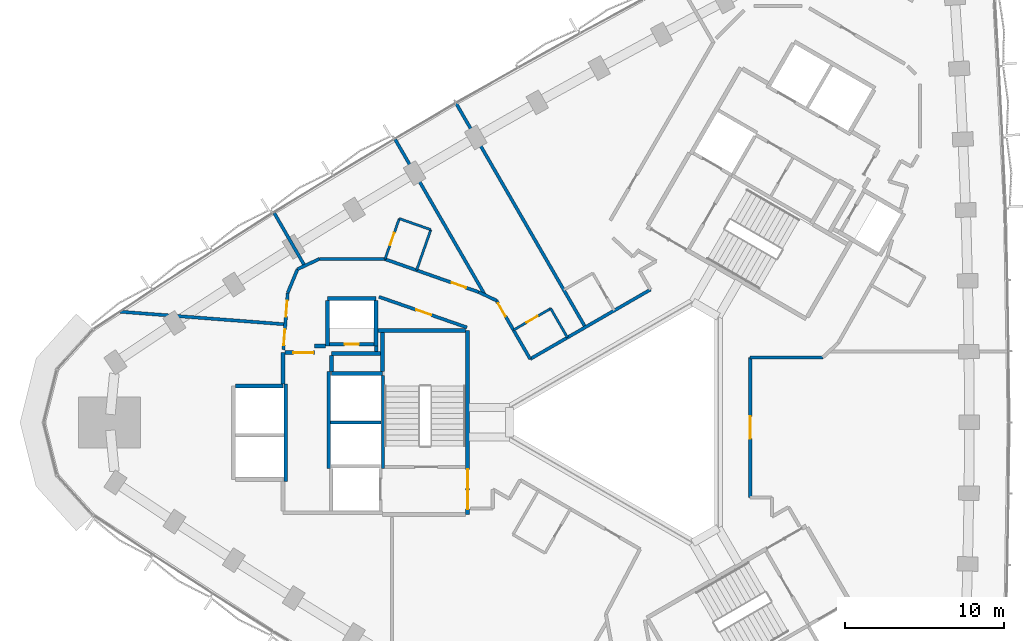
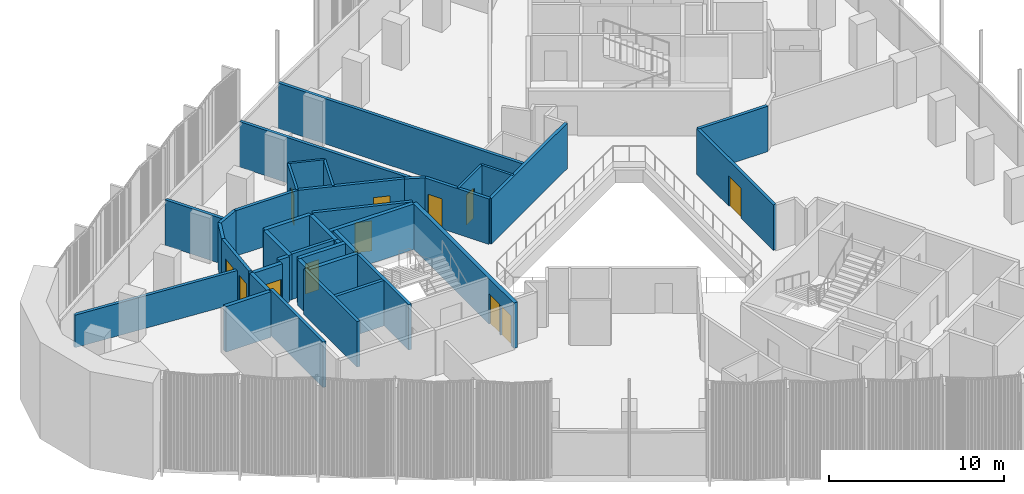
# One storey, part 9 of 15: 39 walls, 12 doors, 12 openings.
"""IFC4 building model written with IfcOpenShell, lengths in metres."""

from ifc_helpers import new_model, si_unit, direction, frame, frame_2d, origin, place, context, subcontext, project, spatial, rectangle, extrude, material, layer, layer_set, type_object, element, fill, save


model = new_model("IFC4")

# Units and contexts
model_context = context("Model", 3, precision=1e-05, world=origin(), true_north=direction((0.0, 1.0)))
body_context = subcontext(model_context, "Body", "Model", "MODEL_VIEW")
ifc_project = project(units=[si_unit("LENGTHUNIT", "METRE"), si_unit("AREAUNIT", "SQUARE_METRE"), si_unit("VOLUMEUNIT", "CUBIC_METRE"), si_unit("PLANEANGLEUNIT", "RADIAN"), si_unit("MASSUNIT", "GRAM", prefix="KILO")], contexts=[model_context])

# Site, building, storey
site_placement = place(None, origin())
site = spatial("IfcSite", under=ifc_project, at=site_placement, CompositionType="ELEMENT")
building_placement = place(site_placement, origin())
building = spatial("IfcBuilding", under=site, at=building_placement, Name="Tamra Quay Hotel Tower", CompositionType="ELEMENT")
storey_placement = place(building_placement, frame((0.0, 0.0, 101.0)))
storey = spatial("IfcBuildingStorey", under=building, at=storey_placement, Name="L24", CompositionType="ELEMENT", Elevation=101.0)

# Walls
ifc_material_1 = material(Name="Concrete M70", Category="concrete")
ifc_layer_1 = layer(ifc_material_1, 0.199951171875)
ifc_layer_set_1 = layer_set([ifc_layer_1], Name="Concrete M70 core wall 200")
wall_type_1 = type_object("IfcWallType", Name="Concrete M70 core wall 200", PredefinedType="SHEAR", material=ifc_layer_set_1)
wall_1_placement = place(storey_placement, frame((-16.162109375, 2.95068359375, 0.0), z_axis=(0.0, 0.0, 1.0), x_axis=(0.0, -1.0, 0.0)))
element("IfcWall", 1, at=wall_1_placement, inside=storey, type_object=wall_type_1, Name="CW2", PredefinedType="SHEAR", context=body_context, shape_type="SweptSolid", body=[
    extrude(rectangle(XDim=5.850830078125, YDim=0.199951171875, at=frame_2d((2.92529296875, 0.0))), origin(), (0.0, 0.0, 1.0), 3.175048828125),
])
for number, where, z_axis, x_axis, name in (
    (2, (-19.5625, -2.900146484375, 0.0), (0.0, 0.0, 1.0), (0.0, 1.0, 0.0), "CW2"),
    (3, (-22.26220703125, 2.400146484375, 0.0), (0.0, 0.0, 1.0), (0.0, -1.0, 0.0), "CW2"),
):
    element("IfcWall", number, at=place(storey_placement, frame(where, z_axis=z_axis, x_axis=x_axis)), inside=storey, type_object=wall_type_1, Name=name, PredefinedType="SHEAR", context=body_context, shape_type="SweptSolid", body=[
        extrude(rectangle(XDim=6.100341796875, YDim=0.199951171875, at=frame_2d((3.05029296875, 0.0))), origin(), (0.0, 0.0, 1.0), 3.175048828125),
    ])
wall_2_placement = place(storey_placement, frame((-16.26318359375, 0.0, 0.0), z_axis=(0.0, 0.0, 1.0), x_axis=(-1.0, 0.0, 0.0)))
element("IfcWall", 4, at=wall_2_placement, inside=storey, type_object=wall_type_1, Name="CW2", PredefinedType="SHEAR", context=body_context, shape_type="SweptSolid", body=[
    extrude(rectangle(XDim=3.1982421875, YDim=0.199951171875, at=frame_2d((1.59912109375, 0.0))), origin(), (0.0, 0.0, 1.0), 3.175048828125),
])

# Wall, opening, door
wall_3_placement = place(storey_placement, frame((-19.51123046875, 4.91015625, 0.0), z_axis=(0.0, 0.0, 1.0), x_axis=(1.0, 0.0, 0.0)))
wall_3 = element("IfcWall", 5, at=wall_3_placement, inside=storey, type_object=wall_type_1, Name="CW2", PredefinedType="SHEAR", context=body_context, shape_type="SweptSolid", body=[
    extrude(rectangle(XDim=2.7978515625, YDim=0.199951171875, at=frame_2d((1.39892578125, 0.0))), origin(), (0.0, 0.0, 1.0), 3.175048828125),
])
opening_1_placement = place(wall_3_placement, frame((0.948974609375, 0.0, 0.0)))
opening_1 = element("IfcOpeningElement", 6, at=opening_1_placement, cuts=wall_3, Name="Opening D1", PredefinedType="OPENING", context=body_context, shape_type="SweptSolid", body=[
    extrude(rectangle(XDim=0.89990234375, YDim=2.10009765625, at=frame_2d((0.449951171875, 1.050048828125))), frame((0.0, 0.10986328125, 0.0), z_axis=(0.0, -1.0, 0.0), x_axis=(1.0, 0.0, 0.0)), (0.0, 0.0, 1.0), 0.219970703125),
])
ifc_material_2 = material(Name="Core door D1 900x2100 RH")
door_type_1 = type_object("IfcDoorType", Name="Core door D1 900x2100 RH", OperationType="NOTDEFINED", PredefinedType="DOOR", material=ifc_material_2)
door_1_placement = place(opening_1_placement, origin())
door_1 = element("IfcDoor", 7, at=door_1_placement, inside=storey, type_object=door_type_1, Name="D1", OperationType="SINGLE_SWING_RIGHT", OverallHeight=2.10009765625, OverallWidth=0.89990234375, PredefinedType="DOOR", context=body_context, shape_type="SweptSolid", body=[
    extrude(rectangle(XDim=0.89990234375, YDim=2.10009765625, at=frame_2d((0.449951171875, 1.050048828125))), frame((0.0, 0.02490234375, 0.0), z_axis=(0.0, -1.0, 0.0), x_axis=(1.0, 0.0, 0.0)), (0.0, 0.0, 1.0), 0.050048828125),
])
fill(opening_1, door_1)

# Wall, openings, doors
ifc_layer_2 = layer(ifc_material_1, 0.25)
ifc_layer_set_2 = layer_set([ifc_layer_2], Name="Concrete M70 core wall 250")
wall_type_2 = type_object("IfcWallType", Name="Concrete M70 core wall 250", PredefinedType="SHEAR", material=ifc_layer_set_2)
wall_4_placement = place(storey_placement, frame((-10.83740234375, 5.77490234375, 0.0), z_axis=(0.0, 0.0, 1.0), x_axis=(0.0, -1.0, 0.0)))
wall_4 = element("IfcWall", 8, at=wall_4_placement, inside=storey, type_object=wall_type_2, Name="CW1", PredefinedType="SHEAR", context=body_context, shape_type="SweptSolid", body=[
    extrude(rectangle(XDim=11.5498046875, YDim=0.25, at=frame_2d((5.77490234375, 0.0))), origin(), (0.0, 0.0, 1.0), 3.175048828125),
])
opening_2_placement = place(wall_4_placement, frame((10.02490234375, 0.0, 0.0)))
opening_2 = element("IfcOpeningElement", 9, at=opening_2_placement, cuts=wall_4, Name="Opening FD1", PredefinedType="OPENING", context=body_context, shape_type="SweptSolid", body=[
    extrude(rectangle(XDim=1.199951171875, YDim=2.10009765625, at=frame_2d((0.60009765625, 1.050048828125))), frame((0.0, 0.135009765625, 0.0), z_axis=(0.0, -1.0, 0.0), x_axis=(1.0, 0.0, 0.0)), (0.0, 0.0, 1.0), 0.27001953125),
])
opening_3_placement = place(wall_4_placement, frame((8.72509765625, 0.0, 0.0)))
opening_3 = element("IfcOpeningElement", 10, at=opening_3_placement, cuts=wall_4, Name="Opening FD1", PredefinedType="OPENING", context=body_context, shape_type="SweptSolid", body=[
    extrude(rectangle(XDim=1.199951171875, YDim=2.10009765625, at=frame_2d((0.60009765625, 1.050048828125))), frame((0.0, 0.135009765625, 0.0), z_axis=(0.0, -1.0, 0.0), x_axis=(1.0, 0.0, 0.0)), (0.0, 0.0, 1.0), 0.27001953125),
])
ifc_material_3 = material(Name="Core door FD1 1200x2100 LH")
door_type_2 = type_object("IfcDoorType", Name="Core door FD1 1200x2100 LH", OperationType="NOTDEFINED", PredefinedType="DOOR", material=ifc_material_3)
door_2_placement = place(opening_2_placement, origin())
door_2 = element("IfcDoor", 11, at=door_2_placement, inside=storey, type_object=door_type_2, Name="FD1", OperationType="SINGLE_SWING_LEFT", OverallHeight=2.10009765625, OverallWidth=1.199951171875, PredefinedType="DOOR", context=body_context, shape_type="SweptSolid", body=[
    extrude(rectangle(XDim=1.199951171875, YDim=2.10009765625, at=frame_2d((0.60009765625, 1.050048828125))), frame((0.0, 0.02490234375, 0.0), z_axis=(0.0, -1.0, 0.0), x_axis=(1.0, 0.0, 0.0)), (0.0, 0.0, 1.0), 0.050048828125),
])
fill(opening_2, door_2)
ifc_material_4 = material(Name="Core door FD1 1200x2100 RH")
door_type_3 = type_object("IfcDoorType", Name="Core door FD1 1200x2100 RH", OperationType="NOTDEFINED", PredefinedType="DOOR", material=ifc_material_4)
door_3_placement = place(opening_3_placement, origin())
door_3 = element("IfcDoor", 12, at=door_3_placement, inside=storey, type_object=door_type_3, Name="FD1", OperationType="SINGLE_SWING_RIGHT", OverallHeight=2.10009765625, OverallWidth=1.199951171875, PredefinedType="DOOR", context=body_context, shape_type="SweptSolid", body=[
    extrude(rectangle(XDim=1.199951171875, YDim=2.10009765625, at=frame_2d((0.60009765625, 1.050048828125))), frame((0.0, 0.02490234375, 0.0), z_axis=(0.0, -1.0, 0.0), x_axis=(1.0, 0.0, 0.0)), (0.0, 0.0, 1.0), 0.050048828125),
])
fill(opening_3, door_3)

# Walls
wall_5_placement = place(storey_placement, frame((-16.47216796875, 5.77490234375, 0.0), z_axis=(0.0, 0.0, 1.0), x_axis=(1.0, 0.0, 0.0)))
element("IfcWall", 13, at=wall_5_placement, inside=storey, type_object=wall_type_2, Name="CW1", PredefinedType="SHEAR", context=body_context, shape_type="SweptSolid", body=[
    extrude(rectangle(XDim=5.509521484375, YDim=0.25, at=frame_2d((2.7548828125, 0.0))), origin(), (0.0, 0.0, 1.0), 3.175048828125),
])
wall_6_placement = place(storey_placement, frame((-19.38720703125, 3.074951171875, 0.0), z_axis=(0.0, 0.0, 1.0), x_axis=(1.0, 0.0, 0.0)))
element("IfcWall", 14, at=wall_6_placement, inside=storey, type_object=wall_type_2, Name="CW1", PredefinedType="SHEAR", context=body_context, shape_type="SweptSolid", body=[
    extrude(rectangle(XDim=3.199951171875, YDim=0.25, at=frame_2d((1.60009765625, 0.0))), origin(), (0.0, 0.0, 1.0), 3.175048828125),
])
wall_7_placement = place(storey_placement, frame((-25.411865234375, 2.27490234375, 0.0), z_axis=(0.0, 0.0, 1.0), x_axis=(1.0, 0.0, 0.0)))
element("IfcWall", 15, at=wall_7_placement, inside=storey, type_object=wall_type_2, Name="CW1", PredefinedType="SHEAR", context=body_context, shape_type="SweptSolid", body=[
    extrude(rectangle(XDim=2.974609375, YDim=0.25, at=frame_2d((1.4873046875, 0.0))), origin(), (0.0, 0.0, 1.0), 3.175048828125),
])
wall_8_placement = place(storey_placement, frame((-19.63720703125, 7.77490234375, 0.0), z_axis=(0.0, 0.0, 1.0), x_axis=(1.0, 0.0, 0.0)))
element("IfcWall", 16, at=wall_8_placement, inside=storey, type_object=wall_type_2, Name="CW1", PredefinedType="SHEAR", context=body_context, shape_type="SweptSolid", body=[
    extrude(rectangle(XDim=3.0498046875, YDim=0.25, at=frame_2d((1.52490234375, 0.0))), origin(), (0.0, 0.0, 1.0), 3.175048828125),
])
for number, where, z_axis, x_axis, name in (
    (17, (-16.58740234375, 7.649658203125, 0.0), (0.0, 0.0, 1.0), (0.0, -1.0, 0.0), "CW1"),
    (18, (-19.63720703125, 4.784912109375, 0.0), (0.0, 0.0, 1.0), (0.0, 1.0, 0.0), "CW1"),
):
    element("IfcWall", number, at=place(storey_placement, frame(where, z_axis=z_axis, x_axis=x_axis)), inside=storey, type_object=wall_type_2, Name=name, PredefinedType="SHEAR", context=body_context, shape_type="SweptSolid", body=[
        extrude(rectangle(XDim=2.86474609375, YDim=0.25, at=frame_2d((1.432373046875, 0.0))), origin(), (0.0, 0.0, 1.0), 3.175048828125),
    ])
wall_9_placement = place(storey_placement, frame((-16.30224609375, 4.31494140625, 0.0), z_axis=(0.0, 0.0, 1.0), x_axis=(-1.0, 0.0, 0.0)))
element("IfcWall", 19, at=wall_9_placement, inside=storey, type_object=wall_type_2, Name="CW1", PredefinedType="SHEAR", context=body_context, shape_type="SweptSolid", body=[
    extrude(rectangle(XDim=3.0849609375, YDim=0.25, at=frame_2d((1.54248046875, 0.0))), origin(), (0.0, 0.0, 1.0), 3.175048828125),
])
wall_10_placement = place(storey_placement, frame((-16.187255859375, 3.200439453125, 0.0), z_axis=(0.0, 0.0, 1.0), x_axis=(0.0, 1.0, 0.0)))
element("IfcWall", 20, at=wall_10_placement, inside=storey, type_object=wall_type_2, Name="CW1", PredefinedType="SHEAR", context=body_context, shape_type="SweptSolid", body=[
    extrude(rectangle(XDim=2.44921875, YDim=0.25, at=frame_2d((1.224609375, 0.0))), origin(), (0.0, 0.0, 1.0), 3.175048828125),
])
wall_11_placement = place(storey_placement, frame((-22.437255859375, 2.400390625, 0.0), z_axis=(0.0, 0.0, 1.0), x_axis=(0.0, 1.0, 0.0)))
element("IfcWall", 21, at=wall_11_placement, inside=storey, type_object=wall_type_2, Name="CW1", PredefinedType="SHEAR", context=body_context, shape_type="SweptSolid", body=[
    extrude(rectangle(XDim=1.974609375, YDim=0.25, at=frame_2d((0.9873046875, 0.0))), origin(), (0.0, 0.0, 1.0), 3.175048828125),
])

# Wall, opening, door
wall_12_placement = place(storey_placement, frame((-22.311767578125, 4.375, 0.0), z_axis=(0.0, 0.0, 1.0), x_axis=(1.0, 0.0, 0.0)))
wall_12 = element("IfcWall", 22, at=wall_12_placement, inside=storey, type_object=wall_type_2, Name="CW1", PredefinedType="SHEAR", context=body_context, shape_type="SweptSolid", body=[
    extrude(rectangle(XDim=1.864501953125, YDim=0.25, at=frame_2d((0.93212890625, 0.0))), origin(), (0.0, 0.0, 1.0), 3.175048828125),
])
opening_4_placement = place(wall_12_placement, frame((0.53466796875, 0.0, 0.0)))
opening_4 = element("IfcOpeningElement", 23, at=opening_4_placement, cuts=wall_12, Name="Opening FD3", PredefinedType="OPENING", context=body_context, shape_type="SweptSolid", body=[
    extrude(rectangle(XDim=1.25, YDim=2.10009765625, at=frame_2d((0.625, 1.050048828125))), frame((0.0, 0.135009765625, 0.0), z_axis=(0.0, -1.0, 0.0), x_axis=(1.0, 0.0, 0.0)), (0.0, 0.0, 1.0), 0.27001953125),
])
ifc_material_5 = material(Name="Core door FD3 1250x2100 LH")
door_type_4 = type_object("IfcDoorType", Name="Core door FD3 1250x2100 LH", OperationType="NOTDEFINED", PredefinedType="DOOR", material=ifc_material_5)
door_4_placement = place(opening_4_placement, origin())
door_4 = element("IfcDoor", 24, at=door_4_placement, inside=storey, type_object=door_type_4, Name="FD3", OperationType="SINGLE_SWING_LEFT", OverallHeight=2.10009765625, OverallWidth=1.25, PredefinedType="DOOR", context=body_context, shape_type="SweptSolid", body=[
    extrude(rectangle(XDim=1.25, YDim=2.10009765625, at=frame_2d((0.625, 1.050048828125))), frame((0.0, 0.02490234375, 0.0), z_axis=(0.0, -1.0, 0.0), x_axis=(1.0, 0.0, 0.0)), (0.0, 0.0, 1.0), 0.050048828125),
])
fill(opening_4, door_4)

# Walls
wall_13_placement = place(storey_placement, frame((-19.38720703125, 4.189697265625, 0.0), z_axis=(0.0, 0.0, 1.0), x_axis=(0.0, -1.0, 0.0)))
element("IfcWall", 25, at=wall_13_placement, inside=storey, type_object=wall_type_2, Name="CW1", PredefinedType="SHEAR", context=body_context, shape_type="SweptSolid", body=[
    extrude(rectangle(XDim=0.9892578125, YDim=0.25, at=frame_2d((0.49462890625, 0.0))), origin(), (0.0, 0.0, 1.0), 3.175048828125),
])
wall_14_placement = place(storey_placement, frame((-20.447265625, 4.784912109375, 0.0), z_axis=(0.0, 0.0, 1.0), x_axis=(1.0, 0.0, 0.0)))
element("IfcWall", 26, at=wall_14_placement, inside=storey, type_object=wall_type_2, Name="CW1", PredefinedType="SHEAR", context=body_context, shape_type="SweptSolid", body=[
    extrude(rectangle(XDim=0.6845703125, YDim=0.25, at=frame_2d((0.34228515625, 0.0))), origin(), (0.0, 0.0, 1.0), 3.175048828125),
])
wall_15_placement = place(storey_placement, frame((-16.577392578125, 4.784912109375, 0.0), z_axis=(0.0, 0.0, 1.0), x_axis=(0.0, -1.0, 0.0)))
element("IfcWall", 27, at=wall_15_placement, inside=storey, type_object=wall_type_2, Name="CW1", PredefinedType="SHEAR", context=body_context, shape_type="SweptSolid", body=[
    extrude(rectangle(XDim=0.344482421875, YDim=0.25, at=frame_2d((0.17236328125, 0.0))), origin(), (0.0, 0.0, 1.0), 3.175048828125),
])

# Wall, openings, doors
ifc_material_6 = material(Name="Partition corridor wall")
ifc_layer_3 = layer(ifc_material_6, 0.199951171875)
ifc_layer_set_3 = layer_set([ifc_layer_3], Name="Partition corridor wall")
wall_type_3 = type_object("IfcWallType", Name="Partition corridor wall", PredefinedType="PARTITIONING", material=ifc_layer_set_3)
wall_16_placement = place(storey_placement, frame((-22.407470703125, 4.56005859375, 0.0), z_axis=(0.0, 0.0, 1.0), x_axis=(0.075961252686, 0.997110770221, 0.0)))
wall_16 = element("IfcWall", 28, at=wall_16_placement, inside=storey, type_object=wall_type_3, Name="W-C", PredefinedType="PARTITIONING", context=body_context, shape_type="SweptSolid", body=[
    extrude(rectangle(XDim=3.580322265625, YDim=0.199951171875, at=frame_2d((1.7900390625, 0.0))), origin(), (0.0, 0.0, 1.0), 3.175048828125),
])
opening_5_placement = place(wall_16_placement, frame((0.276123046875, 0.0, 0.0)))
opening_5 = element("IfcOpeningElement", 29, at=opening_5_placement, cuts=wall_16, Name="Opening L24-D011", PredefinedType="OPENING", context=body_context, shape_type="SweptSolid", body=[
    extrude(rectangle(XDim=1.0, YDim=2.10009765625, at=frame_2d((0.5, 1.050048828125))), frame((0.0, 0.10986328125, 0.0), z_axis=(0.0, -1.0, 0.0), x_axis=(1.0, 0.0, 0.0)), (0.0, 0.0, 1.0), 0.219970703125),
])
opening_6_placement = place(wall_16_placement, frame((2.08447265625, 0.0, 0.0)))
opening_6 = element("IfcOpeningElement", 30, at=opening_6_placement, cuts=wall_16, Name="Opening L24-D012", PredefinedType="OPENING", context=body_context, shape_type="SweptSolid", body=[
    extrude(rectangle(XDim=1.0, YDim=2.10009765625, at=frame_2d((0.5, 1.050048828125))), frame((0.0, 0.10986328125, 0.0), z_axis=(0.0, -1.0, 0.0), x_axis=(1.0, 0.0, 0.0)), (0.0, 0.0, 1.0), 0.219970703125),
])
ifc_material_7 = material(Name="Door guest room 1000x2100")
door_type_5 = type_object("IfcDoorType", Name="Door guest room 1000x2100", OperationType="NOTDEFINED", PredefinedType="DOOR", material=ifc_material_7)
door_5_placement = place(opening_5_placement, origin())
door_5 = element("IfcDoor", 31, at=door_5_placement, inside=storey, type_object=door_type_5, Name="L24-D011", OperationType="SINGLE_SWING_LEFT", OverallHeight=2.10009765625, OverallWidth=1.0, PredefinedType="DOOR", context=body_context, shape_type="SweptSolid", body=[
    extrude(rectangle(XDim=1.0, YDim=2.10009765625, at=frame_2d((0.5, 1.050048828125))), frame((0.0, 0.02490234375, 0.0), z_axis=(0.0, -1.0, 0.0), x_axis=(1.0, 0.0, 0.0)), (0.0, 0.0, 1.0), 0.050048828125),
])
fill(opening_5, door_5)
door_6_placement = place(opening_6_placement, origin())
door_6 = element("IfcDoor", 32, at=door_6_placement, inside=storey, type_object=door_type_5, Name="L24-D012", OperationType="SINGLE_SWING_LEFT", OverallHeight=2.10009765625, OverallWidth=1.0, PredefinedType="DOOR", context=body_context, shape_type="SweptSolid", body=[
    extrude(rectangle(XDim=1.0, YDim=2.10009765625, at=frame_2d((0.5, 1.050048828125))), frame((0.0, 0.02490234375, 0.0), z_axis=(0.0, -1.0, 0.0), x_axis=(1.0, 0.0, 0.0)), (0.0, 0.0, 1.0), 0.050048828125),
])
fill(opening_6, door_6)

# Walls
wall_17_placement = place(storey_placement, frame((-22.135009765625, 8.134033203125, 0.0), z_axis=(0.0, 0.0, 1.0), x_axis=(0.383208453534, 0.923661886807, 0.0)))
element("IfcWall", 33, at=wall_17_placement, inside=storey, type_object=wall_type_3, Name="W-C", PredefinedType="PARTITIONING", context=body_context, shape_type="SweptSolid", body=[
    extrude(rectangle(XDim=1.602294921875, YDim=0.199951171875, at=frame_2d((0.80126953125, 0.0))), origin(), (0.0, 0.0, 1.0), 3.175048828125),
])
wall_18_placement = place(storey_placement, frame((-21.521240234375, 9.614501953125, 0.0), z_axis=(0.0, 0.0, 1.0), x_axis=(0.904236611454, 0.427031790979, 0.0)))
element("IfcWall", 34, at=wall_18_placement, inside=storey, type_object=wall_type_3, Name="W-C", PredefinedType="PARTITIONING", context=body_context, shape_type="SweptSolid", body=[
    extrude(rectangle(XDim=1.52294921875, YDim=0.199951171875, at=frame_2d((0.761474609375, 0.0))), origin(), (0.0, 0.0, 1.0), 3.175048828125),
])
wall_19_placement = place(storey_placement, frame((-20.14306640625, 10.26611328125, 0.0), z_axis=(0.0, 0.0, 1.0), x_axis=(0.999989297417, -0.004626559416, 0.0)))
element("IfcWall", 35, at=wall_19_placement, inside=storey, type_object=wall_type_3, Name="W-C", PredefinedType="PARTITIONING", context=body_context, shape_type="SweptSolid", body=[
    extrude(rectangle(XDim=4.115966796875, YDim=0.199951171875, at=frame_2d((2.05810546875, 0.0))), origin(), (0.0, 0.0, 1.0), 3.175048828125),
])

# Wall, opening, door
wall_20_placement = place(storey_placement, frame((-16.40234375, 7.879150390625, 0.0), z_axis=(0.0, 0.0, 1.0), x_axis=(0.94449961557, -0.328512520596, 0.0)))
wall_20 = element("IfcWall", 36, at=wall_20_placement, inside=storey, type_object=wall_type_3, Name="W-C", PredefinedType="PARTITIONING", context=body_context, shape_type="SweptSolid", body=[
    extrude(rectangle(XDim=5.842041015625, YDim=0.199951171875, at=frame_2d((2.9208984375, 0.0))), origin(), (0.0, 0.0, 1.0), 3.175048828125),
])
opening_7_placement = place(wall_20_placement, frame((2.47900390625, 0.0, 0.0)))
opening_7 = element("IfcOpeningElement", 37, at=opening_7_placement, cuts=wall_20, Name="Opening L24-D008", PredefinedType="OPENING", context=body_context, shape_type="SweptSolid", body=[
    extrude(rectangle(XDim=1.0, YDim=2.10009765625, at=frame_2d((0.5, 1.050048828125))), frame((0.0, 0.10986328125, 0.0), z_axis=(0.0, -1.0, 0.0), x_axis=(1.0, 0.0, 0.0)), (0.0, 0.0, 1.0), 0.219970703125),
])
door_7_placement = place(opening_7_placement, frame((1.0, 0.0, 0.0), z_axis=(0.0, 0.0, 1.0), x_axis=(-1.0, 0.0, 0.0)))
door_7 = element("IfcDoor", 38, at=door_7_placement, inside=storey, type_object=door_type_5, Name="L24-D008", OperationType="SINGLE_SWING_LEFT", OverallHeight=2.10009765625, OverallWidth=1.0, PredefinedType="DOOR", context=body_context, shape_type="SweptSolid", body=[
    extrude(rectangle(XDim=1.0, YDim=2.10009765625, at=frame_2d((0.5, 1.050048828125))), frame((0.0, 0.02490234375, 0.0), z_axis=(0.0, -1.0, 0.0), x_axis=(1.0, 0.0, 0.0)), (0.0, 0.0, 1.0), 0.050048828125),
])
fill(opening_7, door_7)

wall_21_placement = place(storey_placement, frame((-16.02587890625, 10.247314453125, 0.0), z_axis=(0.0, 0.0, 1.0), x_axis=(0.94329059922, -0.331968139168, 0.0)))
wall_21 = element("IfcWall", 39, at=wall_21_placement, inside=storey, type_object=wall_type_3, Name="W-C", PredefinedType="PARTITIONING", context=body_context, shape_type="SweptSolid", body=[
    extrude(rectangle(XDim=6.236572265625, YDim=0.199951171875, at=frame_2d((3.1181640625, 0.0))), origin(), (0.0, 0.0, 1.0), 3.175048828125),
])
opening_8_placement = place(wall_21_placement, frame((4.438232421875, 0.0, 0.0)))
opening_8 = element("IfcOpeningElement", 40, at=opening_8_placement, cuts=wall_21, Name="Opening L24-D009", PredefinedType="OPENING", context=body_context, shape_type="SweptSolid", body=[
    extrude(rectangle(XDim=0.949951171875, YDim=2.10009765625, at=frame_2d((0.47509765625, 1.050048828125))), frame((0.0, 0.10986328125, 0.0), z_axis=(0.0, -1.0, 0.0), x_axis=(1.0, 0.0, 0.0)), (0.0, 0.0, 1.0), 0.219970703125),
])
ifc_material_8 = material(Name="Door guest room 950x2100")
door_type_6 = type_object("IfcDoorType", Name="Door guest room 950x2100", OperationType="NOTDEFINED", PredefinedType="DOOR", material=ifc_material_8)
door_8_placement = place(opening_8_placement, origin())
door_8 = element("IfcDoor", 41, at=door_8_placement, inside=storey, type_object=door_type_6, Name="L24-D009", OperationType="SINGLE_SWING_LEFT", OverallHeight=2.10009765625, OverallWidth=0.949951171875, PredefinedType="DOOR", context=body_context, shape_type="SweptSolid", body=[
    extrude(rectangle(XDim=0.949951171875, YDim=2.10009765625, at=frame_2d((0.47509765625, 1.050048828125))), frame((0.0, 0.02490234375, 0.0), z_axis=(0.0, -1.0, 0.0), x_axis=(1.0, 0.0, 0.0)), (0.0, 0.0, 1.0), 0.050048828125),
])
fill(opening_8, door_8)

# Wall
wall_22_placement = place(storey_placement, frame((-10.14306640625, 8.1767578125, 0.0), z_axis=(0.0, 0.0, 1.0), x_axis=(0.904109978004, -0.427299833458, 0.0)))
element("IfcWall", 42, at=wall_22_placement, inside=storey, type_object=wall_type_3, Name="W-C", PredefinedType="PARTITIONING", context=body_context, shape_type="SweptSolid", body=[
    extrude(rectangle(XDim=1.227783203125, YDim=0.199951171875, at=frame_2d((0.61376953125, 0.0))), origin(), (0.0, 0.0, 1.0), 3.175048828125),
])

# Wall, opening, door
wall_23_placement = place(storey_placement, frame((-9.032958984375, 7.652099609375, 0.0), z_axis=(0.0, 0.0, 1.0), x_axis=(0.500228714158, -0.865893315329, 0.0)))
wall_23 = element("IfcWall", 43, at=wall_23_placement, inside=storey, type_object=wall_type_3, Name="W-C", PredefinedType="PARTITIONING", context=body_context, shape_type="SweptSolid", body=[
    extrude(rectangle(XDim=4.24365234375, YDim=0.199951171875, at=frame_2d((2.121826171875, 0.0))), origin(), (0.0, 0.0, 1.0), 3.175048828125),
])
opening_9_placement = place(wall_23_placement, frame((0.199951171875, 0.0, 0.0)))
opening_9 = element("IfcOpeningElement", 44, at=opening_9_placement, cuts=wall_23, Name="Opening L24-D006", PredefinedType="OPENING", context=body_context, shape_type="SweptSolid", body=[
    extrude(rectangle(XDim=0.949951171875, YDim=2.10009765625, at=frame_2d((0.47509765625, 1.050048828125))), frame((0.0, 0.10986328125, 0.0), z_axis=(0.0, -1.0, 0.0), x_axis=(1.0, 0.0, 0.0)), (0.0, 0.0, 1.0), 0.219970703125),
])
door_9_placement = place(opening_9_placement, origin())
door_9 = element("IfcDoor", 45, at=door_9_placement, inside=storey, type_object=door_type_6, Name="L24-D006", OperationType="SINGLE_SWING_LEFT", OverallHeight=2.10009765625, OverallWidth=0.949951171875, PredefinedType="DOOR", context=body_context, shape_type="SweptSolid", body=[
    extrude(rectangle(XDim=0.949951171875, YDim=2.10009765625, at=frame_2d((0.47509765625, 1.050048828125))), frame((0.0, 0.02490234375, 0.0), z_axis=(0.0, -1.0, 0.0), x_axis=(1.0, 0.0, 0.0)), (0.0, 0.0, 1.0), 0.050048828125),
])
fill(opening_9, door_9)

# Wall
wall_24_placement = place(storey_placement, frame((-6.91015625, 3.975341796875, 0.0), z_axis=(0.0, 0.0, 1.0), x_axis=(0.86591925187, 0.500183815454, 0.0)))
element("IfcWall", 46, at=wall_24_placement, inside=storey, type_object=wall_type_3, Name="W-C", PredefinedType="PARTITIONING", context=body_context, shape_type="SweptSolid", body=[
    extrude(rectangle(XDim=8.718017578125, YDim=0.199951171875, at=frame_2d((4.35888671875, 0.0))), origin(), (0.0, 0.0, 1.0), 3.175048828125),
])

# Wall, opening, door
wall_25_placement = place(storey_placement, frame((6.89990234375, -4.720947265625, 0.0), z_axis=(0.0, 0.0, 1.0), x_axis=(0.0, 1.0, 0.0)))
wall_25 = element("IfcWall", 47, at=wall_25_placement, inside=storey, type_object=wall_type_3, Name="W-C", PredefinedType="PARTITIONING", context=body_context, shape_type="SweptSolid", body=[
    extrude(rectangle(XDim=8.798828125, YDim=0.199951171875, at=frame_2d((4.3994140625, 0.0))), origin(), (0.0, 0.0, 1.0), 3.175048828125),
])
opening_10_placement = place(wall_25_placement, frame((3.699462890625, 0.0, 0.0)))
opening_10 = element("IfcOpeningElement", 48, at=opening_10_placement, cuts=wall_25, Name="Opening L24-D001", PredefinedType="OPENING", context=body_context, shape_type="SweptSolid", body=[
    extrude(rectangle(XDim=1.39990234375, YDim=2.10009765625, at=frame_2d((0.699951171875, 1.050048828125))), frame((0.0, 0.10986328125, 0.0), z_axis=(0.0, -1.0, 0.0), x_axis=(1.0, 0.0, 0.0)), (0.0, 0.0, 1.0), 0.219970703125),
])
ifc_material_9 = material(Name="Door double leaf 1400x2100")
door_type_7 = type_object("IfcDoorType", Name="Door double leaf 1400x2100", OperationType="DOUBLE_DOOR_SINGLE_SWING", PredefinedType="DOOR", material=ifc_material_9)
door_10_placement = place(opening_10_placement, frame((1.39990234375, 0.0, 0.0), z_axis=(0.0, 0.0, 1.0), x_axis=(-1.0, 0.0, 0.0)))
door_10 = element("IfcDoor", 49, at=door_10_placement, inside=storey, type_object=door_type_7, Name="L24-D001", OperationType="DOUBLE_DOOR_SINGLE_SWING", OverallHeight=2.10009765625, OverallWidth=1.39990234375, PredefinedType="DOOR", context=body_context, shape_type="SweptSolid", body=[
    extrude(rectangle(XDim=1.39990234375, YDim=2.10009765625, at=frame_2d((0.699951171875, 1.050048828125))), frame((0.0, 0.02490234375, 0.0), z_axis=(0.0, -1.0, 0.0), x_axis=(1.0, 0.0, 0.0)), (0.0, 0.0, 1.0), 0.050048828125),
])
fill(opening_10, door_10)

# Wall
wall_26_placement = place(storey_placement, frame((6.89990234375, 4.077880859375, 0.0), z_axis=(0.0, 0.0, 1.0), x_axis=(1.0, 0.0, 0.0)))
element("IfcWall", 50, at=wall_26_placement, inside=storey, type_object=wall_type_3, Name="W-C", PredefinedType="PARTITIONING", context=body_context, shape_type="SweptSolid", body=[
    extrude(rectangle(XDim=4.55810546875, YDim=0.199951171875, at=frame_2d((2.279052734375, 0.0))), origin(), (0.0, 0.0, 1.0), 3.175048828125),
])

# Wall, opening, door
ifc_material_10 = material(Name="Partition en-suite wall")
ifc_layer_4 = layer(ifc_material_10, 0.14990234375)
ifc_layer_set_4 = layer_set([ifc_layer_4], Name="Partition en-suite wall")
wall_type_4 = type_object("IfcWallType", Name="Partition en-suite wall", PredefinedType="PARTITIONING", material=ifc_layer_set_4)
wall_27_placement = place(storey_placement, frame((-16.02587890625, 10.2470703125, 0.0), z_axis=(0.0, 0.0, 1.0), x_axis=(0.331801780804, 0.943349128507, 0.0)))
wall_27 = element("IfcWall", 51, at=wall_27_placement, inside=storey, type_object=wall_type_4, Name="W-E", PredefinedType="PARTITIONING", context=body_context, shape_type="SweptSolid", body=[
    extrude(rectangle(XDim=2.69677734375, YDim=0.14990234375, at=frame_2d((1.348388671875, 0.0))), origin(), (0.0, 0.0, 1.0), 3.175048828125),
])
opening_11_placement = place(wall_27_placement, frame((0.94921875, 0.0, 0.0)))
opening_11 = element("IfcOpeningElement", 52, at=opening_11_placement, cuts=wall_27, Name="Opening L24-D010", PredefinedType="OPENING", context=body_context, shape_type="SweptSolid", body=[
    extrude(rectangle(XDim=0.800048828125, YDim=2.10009765625, at=frame_2d((0.39990234375, 1.050048828125))), frame((0.0, 0.0849609375, 0.0), z_axis=(0.0, -1.0, 0.0), x_axis=(1.0, 0.0, 0.0)), (0.0, 0.0, 1.0), 0.169921875),
])
ifc_material_11 = material(Name="Door en-suite 800x2100")
door_type_8 = type_object("IfcDoorType", Name="Door en-suite 800x2100", OperationType="NOTDEFINED", PredefinedType="DOOR", material=ifc_material_11)
door_11_placement = place(opening_11_placement, origin())
door_11 = element("IfcDoor", 53, at=door_11_placement, inside=storey, type_object=door_type_8, Name="L24-D010", OperationType="SINGLE_SWING_LEFT", OverallHeight=2.10009765625, OverallWidth=0.800048828125, PredefinedType="DOOR", context=body_context, shape_type="SweptSolid", body=[
    extrude(rectangle(XDim=0.800048828125, YDim=2.10009765625, at=frame_2d((0.39990234375, 1.050048828125))), frame((0.0, 0.02490234375, 0.0), z_axis=(0.0, -1.0, 0.0), x_axis=(1.0, 0.0, 0.0)), (0.0, 0.0, 1.0), 0.050048828125),
])
fill(opening_11, door_11)

# Walls
wall_28_placement = place(storey_placement, frame((-15.1279296875, 12.7919921875, 0.0), z_axis=(0.0, 0.0, 1.0), x_axis=(0.943396116654, -0.331668158078, 0.0)))
element("IfcWall", 54, at=wall_28_placement, inside=storey, type_object=wall_type_4, Name="W-E", PredefinedType="PARTITIONING", context=body_context, shape_type="SweptSolid", body=[
    extrude(rectangle(XDim=2.095703125, YDim=0.14990234375, at=frame_2d((1.0478515625, 0.0))), origin(), (0.0, 0.0, 1.0), 3.175048828125),
])
wall_29_placement = place(storey_placement, frame((-14.044921875, 9.550048828125, 0.0), z_axis=(0.0, 0.0, 1.0), x_axis=(0.331882342773, 0.943320788786, 0.0)))
element("IfcWall", 55, at=wall_29_placement, inside=storey, type_object=wall_type_4, Name="W-E", PredefinedType="PARTITIONING", context=body_context, shape_type="SweptSolid", body=[
    extrude(rectangle(XDim=2.69677734375, YDim=0.14990234375, at=frame_2d((1.348388671875, 0.0))), origin(), (0.0, 0.0, 1.0), 3.175048828125),
])

# Wall, opening, door
wall_30_placement = place(storey_placement, frame((-7.9609375, 5.7958984375, 0.0), z_axis=(0.0, 0.0, 1.0), x_axis=(0.865974735705, 0.50008774942, 0.0)))
wall_30 = element("IfcWall", 56, at=wall_30_placement, inside=storey, type_object=wall_type_4, Name="W-E", PredefinedType="PARTITIONING", context=body_context, shape_type="SweptSolid", body=[
    extrude(rectangle(XDim=2.69970703125, YDim=0.14990234375, at=frame_2d((1.349853515625, 0.0))), origin(), (0.0, 0.0, 1.0), 3.175048828125),
])
opening_12_placement = place(wall_30_placement, frame((0.94970703125, 0.0, 0.0)))
opening_12 = element("IfcOpeningElement", 57, at=opening_12_placement, cuts=wall_30, Name="Opening L24-D007", PredefinedType="OPENING", context=body_context, shape_type="SweptSolid", body=[
    extrude(rectangle(XDim=0.800048828125, YDim=2.10009765625, at=frame_2d((0.39990234375, 1.050048828125))), frame((0.0, 0.0849609375, 0.0), z_axis=(0.0, -1.0, 0.0), x_axis=(1.0, 0.0, 0.0)), (0.0, 0.0, 1.0), 0.169921875),
])
door_12_placement = place(opening_12_placement, origin())
door_12 = element("IfcDoor", 58, at=door_12_placement, inside=storey, type_object=door_type_8, Name="L24-D007", OperationType="SINGLE_SWING_LEFT", OverallHeight=2.10009765625, OverallWidth=0.800048828125, PredefinedType="DOOR", context=body_context, shape_type="SweptSolid", body=[
    extrude(rectangle(XDim=0.800048828125, YDim=2.10009765625, at=frame_2d((0.39990234375, 1.050048828125))), frame((0.0, 0.02490234375, 0.0), z_axis=(0.0, -1.0, 0.0), x_axis=(1.0, 0.0, 0.0)), (0.0, 0.0, 1.0), 0.050048828125),
])
fill(opening_12, door_12)

# Walls
wall_31_placement = place(storey_placement, frame((-5.623046875, 7.14599609375, 0.0), z_axis=(0.0, 0.0, 1.0), x_axis=(0.499927044236, -0.866067520717, 0.0)))
element("IfcWall", 59, at=wall_31_placement, inside=storey, type_object=wall_type_4, Name="W-E", PredefinedType="PARTITIONING", context=body_context, shape_type="SweptSolid", body=[
    extrude(rectangle(XDim=2.100341796875, YDim=0.14990234375, at=frame_2d((1.05029296875, 0.0))), origin(), (0.0, 0.0, 1.0), 3.175048828125),
])
ifc_material_12 = material(Name="Partition party wall")
ifc_layer_5 = layer(ifc_material_12, 0.199951171875)
ifc_layer_set_5 = layer_set([ifc_layer_5], Name="Partition party wall")
wall_type_5 = type_object("IfcWallType", Name="Partition party wall", PredefinedType="PARTITIONING", material=ifc_layer_set_5)
wall_32_placement = place(storey_placement, frame((-32.663330078125, 6.948486328125, 0.0), z_axis=(0.0, 0.0, 1.0), x_axis=(0.997096152269, -0.076152893115, 0.0)))
element("IfcWall", 60, at=wall_32_placement, inside=storey, type_object=wall_type_5, Name="W-P", PredefinedType="PARTITIONING", context=body_context, shape_type="SweptSolid", body=[
    extrude(rectangle(XDim=10.406494140625, YDim=0.199951171875, at=frame_2d((5.203125, 0.0))), origin(), (0.0, 0.0, 1.0), 2.27490234375),
])
wall_33_placement = place(storey_placement, frame((-23.00146484375, 13.177001953125, 0.0), z_axis=(0.0, 0.0, 1.0), x_axis=(0.499706048473, -0.866195050274, 0.0)))
element("IfcWall", 61, at=wall_33_placement, inside=storey, type_object=wall_type_5, Name="W-P", PredefinedType="PARTITIONING", context=body_context, shape_type="SweptSolid", body=[
    extrude(rectangle(XDim=3.864990234375, YDim=0.199951171875, at=frame_2d((1.9326171875, 0.0))), origin(), (0.0, 0.0, 1.0), 3.175048828125),
])
wall_34_placement = place(storey_placement, frame((-15.40673828125, 17.795166015625, 0.0), z_axis=(0.0, 0.0, 1.0), x_axis=(0.500045913515, -0.865998893981, 0.0)))
element("IfcWall", 62, at=wall_34_placement, inside=storey, type_object=wall_type_5, Name="W-P", PredefinedType="PARTITIONING", context=body_context, shape_type="SweptSolid", body=[
    extrude(rectangle(XDim=11.32470703125, YDim=0.199951171875, at=frame_2d((5.662353515625, 0.0))), origin(), (0.0, 0.0, 1.0), 3.175048828125),
])
wall_35_placement = place(storey_placement, frame((-11.569580078125, 20.039794921875, 0.0), z_axis=(0.0, 0.0, 1.0), x_axis=(0.499950196318, -0.866054156045, 0.0)))
element("IfcWall", 63, at=wall_35_placement, inside=storey, type_object=wall_type_5, Name="W-P", PredefinedType="PARTITIONING", context=body_context, shape_type="SweptSolid", body=[
    extrude(rectangle(XDim=16.239501953125, YDim=0.199951171875, at=frame_2d((8.11962890625, 0.0))), origin(), (0.0, 0.0, 1.0), 3.175048828125),
])

save(model, "model.ifc")
